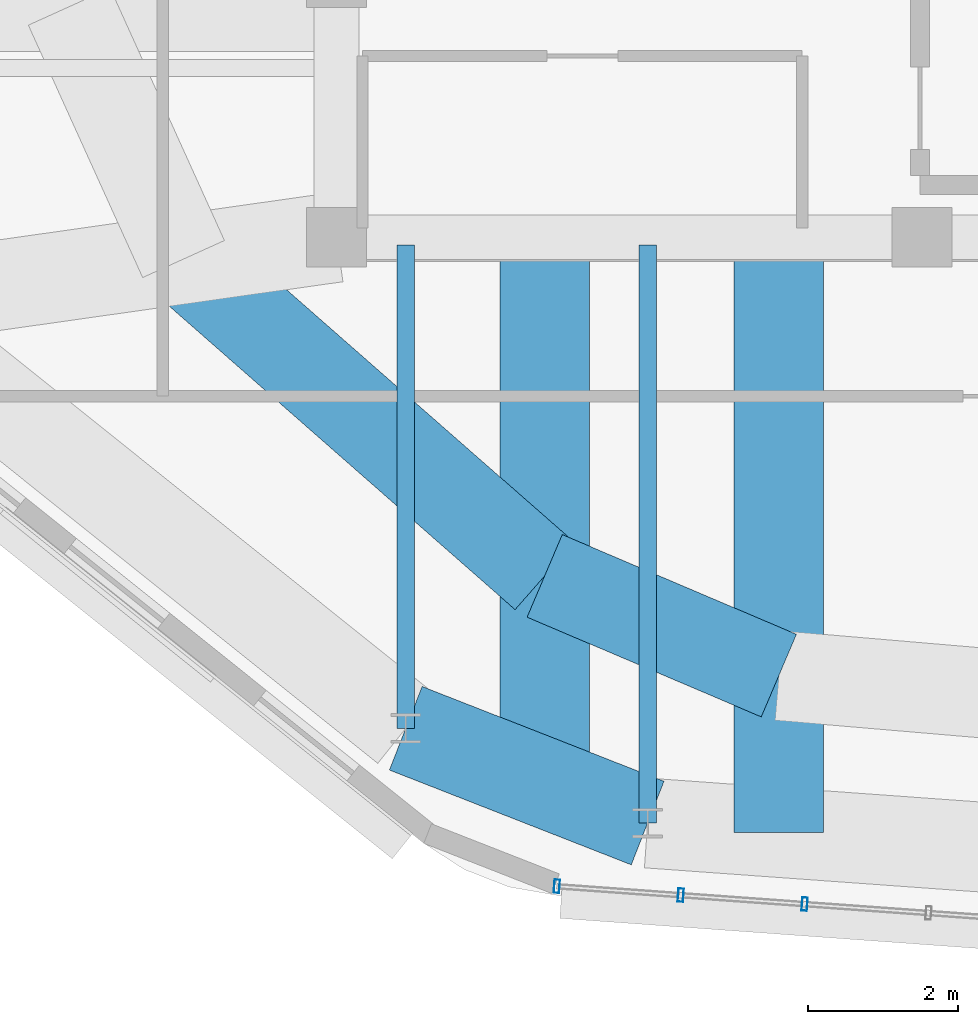
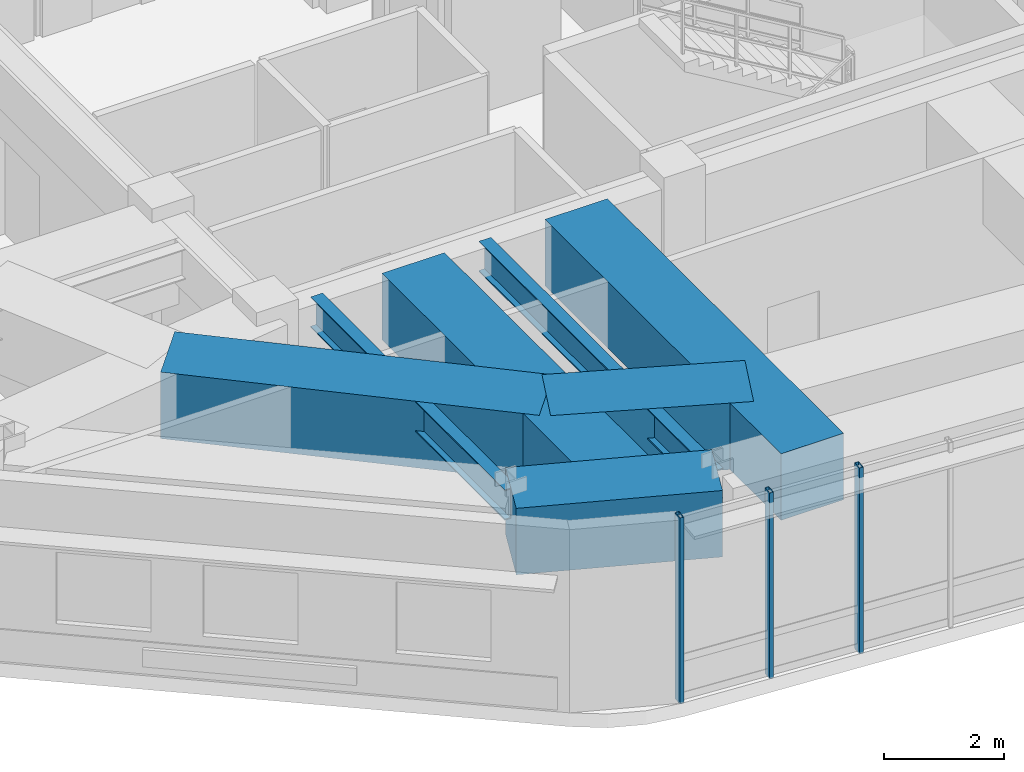
# One storey, part 2 of 12: 7 beams, 3 members, 1 element without a shape of its own.
"""IFC4 building model written with IfcOpenShell, lengths in metres."""

import ifcopenshell
import ifcopenshell.guid

model = None  # the IFC model being written
_history = None  # IfcOwnerHistory: only IFC2X3 demands one
_inside = {}  # id of a spatial element -> (the spatial element, [elements in it])
_under = {}  # id of a project, library or spatial element -> (it, [spatial elements below it])
_declared = {}  # id of a project -> (the project, [libraries it declares])
_typed = {}  # id of a type object -> (the type object, [elements of that type])
_made_of = {}  # id of a material, layer set ... -> (it, [elements and type objects made of it])


def new_model(schema):
    """Start an empty IFC model of exactly this schema.

    Asked for "IFC4X3", IfcOpenShell would pick the latest addendum, in which some entities
    have other attributes; the version numbers below select the first issue.
    IFC2X3 requires an IfcOwnerHistory on every rooted entity: one is made here for all.
    """
    global model, _history
    if schema == "IFC4X3":
        model = ifcopenshell.file(schema_version=(4, 3, 0, 0))
    else:
        model = ifcopenshell.file(schema=schema)
    _inside.clear()
    _under.clear()
    _declared.clear()
    _typed.clear()
    _made_of.clear()
    _history = None
    if model.schema == "IFC2X3":
        org = make("IfcOrganization", Name="unknown")
        user = make(
            "IfcPersonAndOrganization",
            ThePerson=make("IfcPerson", FamilyName="unknown"),
            TheOrganization=org,
        )
        app = make(
            "IfcApplication",
            ApplicationDeveloper=org,
            Version="unknown",
            ApplicationFullName="unknown",
            ApplicationIdentifier="unknown",
        )
        _history = make(
            "IfcOwnerHistory",
            OwningUser=user,
            OwningApplication=app,
            ChangeAction="ADDED",
            CreationDate=0,
        )
    return model


def make(cls, **values):
    """One entity of the class cls with the attributes given. An attribute that is None is left unset."""
    return model.create_entity(
        cls, **{name: value for name, value in values.items() if value is not None}
    )


def rooted(cls, **values):
    """An entity with a GlobalId (a new one), such as an element, a storey or a relation."""
    return make(cls, GlobalId=ifcopenshell.guid.new(), OwnerHistory=_history, **values)


def si_unit(unit_type, name, prefix=None):
    """IfcSIUnit, for example si_unit("LENGTHUNIT", "METRE", prefix="MILLI")."""
    return make("IfcSIUnit", UnitType=unit_type, Prefix=prefix, Name=name)


def assignment(units):
    """IfcUnitAssignment: the units of a project."""
    return None if units is None else make("IfcUnitAssignment", Units=units)


def point(xyz):
    """IfcCartesianPoint."""
    return None if xyz is None else make("IfcCartesianPoint", Coordinates=xyz)


def direction(xyz):
    """IfcDirection."""
    return None if xyz is None else make("IfcDirection", DirectionRatios=xyz)


def frame(location, z_axis=None, x_axis=None):
    """IfcAxis2Placement3D, a coordinate frame: its origin and axes. An axis left out is left unset."""
    return make(
        "IfcAxis2Placement3D",
        Location=point(location),
        Axis=direction(z_axis),
        RefDirection=direction(x_axis),
    )


def frame_2d(location, x_axis=None):
    """IfcAxis2Placement2D, a coordinate frame in the plane: its origin and x axis."""
    return make(
        "IfcAxis2Placement2D", Location=point(location), RefDirection=direction(x_axis)
    )


def origin():
    """The frame at (0, 0, 0) with its axes left unset."""
    return frame((0.0, 0.0, 0.0))


def origin_2d():
    """The frame at (0, 0) in the plane with its x axis left unset."""
    return frame_2d((0.0, 0.0))


def place(relative_to, where):
    """IfcLocalPlacement: puts the frame where relative to a parent placement (None: the world)."""
    return make(
        "IfcLocalPlacement", PlacementRelTo=relative_to, RelativePlacement=where
    )


def context(
    kind, dimensions, precision=None, world=None, true_north=None, identifier=None
):
    """IfcGeometricRepresentationContext, for example the 3D "Model" context."""
    return make(
        "IfcGeometricRepresentationContext",
        ContextIdentifier=identifier,
        ContextType=kind,
        CoordinateSpaceDimension=dimensions,
        Precision=precision,
        WorldCoordinateSystem=world,
        TrueNorth=true_north,
    )


def subcontext(parent, identifier, kind, view, scale=None):
    """IfcGeometricRepresentationSubContext, for example "Body" below "Model"."""
    return make(
        "IfcGeometricRepresentationSubContext",
        ContextIdentifier=identifier,
        ContextType=kind,
        ParentContext=parent,
        TargetScale=scale,
        TargetView=view,
    )


def project(units=None, contexts=None):
    """IfcProject with its units and contexts."""
    return rooted(
        "IfcProject",
        Name="project",
        RepresentationContexts=contexts,
        UnitsInContext=assignment(units),
    )


def spatial(cls, under=None, at=None, **own):
    """A site, building, storey or space (cls), placed at a placement, below another one or the project."""
    s = rooted(cls, ObjectPlacement=at, **own)
    if under is not None:
        _under.setdefault(under.id(), (under, []))[1].append(s)
    return s


def profile(cls, at=None, kind="AREA", **sizes):
    """A parametric profile (cls). Its sizes go by their IFC names, for example OverallWidth=200.0."""
    return make(cls, ProfileType=kind, Position=at, **sizes)


def rectangle(**sizes):
    """IfcRectangleProfileDef."""
    return profile("IfcRectangleProfileDef", **sizes)


def hollow_rectangle(**sizes):
    """IfcRectangleHollowProfileDef."""
    return profile("IfcRectangleHollowProfileDef", **sizes)


def i_section(**sizes):
    """IfcIShapeProfileDef."""
    return profile("IfcIShapeProfileDef", **sizes)


def extrude(swept, where, along, depth):
    """IfcExtrudedAreaSolid: the profile swept, set in the frame where, extruded along a direction by depth."""
    return make(
        "IfcExtrudedAreaSolid",
        SweptArea=swept,
        Position=where,
        ExtrudedDirection=direction(along),
        Depth=depth,
    )


def shape(context_of_items, identifier, shape_type, items):
    """IfcShapeRepresentation: the items that make up one representation, for example the "Body"."""
    return make(
        "IfcShapeRepresentation",
        ContextOfItems=context_of_items,
        RepresentationIdentifier=identifier,
        RepresentationType=shape_type,
        Items=items,
    )


def material(Name=None, Category=None):
    """IfcMaterial."""
    return make("IfcMaterial", Name=Name, Category=Category)


def material_profile(
    of_material, cross_section, Name=None, Category=None, Priority=None
):
    """IfcMaterialProfile: a cross section and its material."""
    return make(
        "IfcMaterialProfile",
        Name=Name,
        Material=of_material,
        Profile=cross_section,
        Priority=Priority,
        Category=Category,
    )


def profile_set(profiles, Name=None, composite=None):
    """IfcMaterialProfileSet."""
    return make(
        "IfcMaterialProfileSet",
        Name=Name,
        MaterialProfiles=profiles,
        CompositeProfile=composite,
    )


def made_of(thing, what):
    """Note that an element or type object is made of a material, layer set ...; save() writes the relation."""
    if what is not None:
        _made_of.setdefault(what.id(), (what, []))[1].append(thing)
    return thing


def type_object(cls, material=None, **own):
    """A type object (cls), such as IfcWallType, which elements share."""
    return made_of(rooted(cls, **own), material)


def element(
    cls,
    number,
    at=None,
    inside=None,
    cuts=None,
    type_object=None,
    material=None,
    context=None,
    identifier="Body",
    shape_type=None,
    held_by="IfcProductDefinitionShape",
    body=None,
    shapes=None,
    **own,
):
    """One element of the class cls, such as IfcWall. Its Tag is "e" and its number.

    at: its placement. inside: the storey or other place that contains it. cuts: it is an
    opening in that element (IfcRelVoidsElement). A single representation is given by context,
    identifier, shape_type and body (its items); several are given by shapes. held_by: the class
    of the entity that holds the representations. save() writes the other relations.
    """
    e = rooted(cls, Tag="e%d" % number, ObjectPlacement=at, **own)
    if body is not None:
        shapes = [shape(context, identifier, shape_type, body)]
    if shapes is not None:
        e.Representation = make(held_by, Representations=shapes)
    if inside is not None:
        _inside.setdefault(inside.id(), (inside, []))[1].append(e)
    if cuts is not None:
        rooted(
            "IfcRelVoidsElement", RelatingBuildingElement=cuts, RelatedOpeningElement=e
        )
    if type_object is not None:
        _typed.setdefault(type_object.id(), (type_object, []))[1].append(e)
    return made_of(e, material)


def aggregate(whole, parts):
    """IfcRelAggregates: a whole, such as a stair, and the parts it consists of."""
    return rooted("IfcRelAggregates", RelatingObject=whole, RelatedObjects=parts)


def save(model, path):
    """Write the relations noted so far, then the file.

    IfcRelAggregates (storeys below a building ...), IfcRelContainedInSpatialStructure (elements
    in a storey), IfcRelDefinesByType, IfcRelAssociatesMaterial and IfcRelDeclares: one each for
    every whole, place, type object, material and project.
    """
    for whole, parts in _under.values():
        aggregate(whole, parts)
    for where, things in _inside.values():
        rooted(
            "IfcRelContainedInSpatialStructure",
            RelatedElements=things,
            RelatingStructure=where,
        )
    for kind, things in _typed.values():
        rooted("IfcRelDefinesByType", RelatedObjects=things, RelatingType=kind)
    for what, things in _made_of.values():
        rooted("IfcRelAssociatesMaterial", RelatedObjects=things, RelatingMaterial=what)
    for by, libraries in _declared.values():
        rooted("IfcRelDeclares", RelatingContext=by, RelatedDefinitions=libraries)
    model.write(path)


model = new_model("IFC4")

# Units and contexts
model_context = context("Model", 3, precision=1e-05, world=origin(), true_north=direction((0.0, 1.0)))
body_context = subcontext(model_context, "Body", "Model", "MODEL_VIEW")
ifc_project = project(units=[si_unit("LENGTHUNIT", "METRE"), si_unit("AREAUNIT", "SQUARE_METRE"), si_unit("VOLUMEUNIT", "CUBIC_METRE"), si_unit("PLANEANGLEUNIT", "RADIAN"), si_unit("MASSUNIT", "GRAM", prefix="KILO")], contexts=[model_context])

# Site, building, storey
site_placement = place(None, origin())
site = spatial("IfcSite", under=ifc_project, at=site_placement, CompositionType="ELEMENT")
building_placement = place(site_placement, origin())
building = spatial("IfcBuilding", under=site, at=building_placement, Name="Zulverin Broadcast Headquarters", CompositionType="ELEMENT")
storey_placement = place(building_placement, frame((0.0, 0.0, 325.39990234375)))
storey = spatial("IfcBuildingStorey", under=building, at=storey_placement, Name="C4", CompositionType="ELEMENT", Elevation=325.39990234375)

# Beams
ifc_material_1 = material(Name="Concrete C50/60", Category="concrete")
ifc_material_profile_1 = material_profile(ifc_material_1, rectangle(XDim=1.199951171875, YDim=1.35009765625, at=origin_2d()), Name="Concrete C50/60", Category="concrete")
ifc_profile_set_1 = profile_set([ifc_material_profile_1], Name="Concrete C50/60")
beam_type_1 = type_object("IfcBeamType", Name="BM-TG-CRN-1350", PredefinedType="USERDEFINED", material=ifc_profile_set_1)
beam_1_placement = place(storey_placement, frame((31.54931640625, 10.760498046875, 3.045166015625), z_axis=(0.931090256354, -0.364788890351, 0.0), x_axis=(0.364788890351, 0.931090256354, 0.0)))
element("IfcBeam", 1, at=beam_1_placement, inside=storey, type_object=beam_type_1, Name="C4 Perimeter Transfer Ring Girder SP-16", ObjectType="TRANSFER GIRDER", PredefinedType="USERDEFINED", context=body_context, shape_type="SweptSolid", body=[
    extrude(rectangle(XDim=1.199951171875, YDim=1.35009765625, at=origin_2d()), origin(), (0.0, 0.0, 1.0), 3.473388671875),
])
beam_2_placement = place(storey_placement, frame((36.53759765625, 17.22509765625, 3.045166015625), z_axis=(0.0, -1.0, 0.0), x_axis=(1.0, 0.0, 0.0)))
element("IfcBeam", 2, at=beam_2_placement, inside=storey, type_object=beam_type_1, Name="C5 Step Transfer Girder TG-01", ObjectType="TRANSFER GIRDER", PredefinedType="USERDEFINED", context=body_context, shape_type="SweptSolid", body=[
    extrude(rectangle(XDim=1.199951171875, YDim=1.35009765625, at=origin_2d()), origin(), (0.0, 0.0, 1.0), 7.85791015625),
])
beam_3_placement = place(storey_placement, frame((28.578369140625, 17.03466796875, 3.045166015625), z_axis=(0.751669525428, -0.659539934002, 0.0), x_axis=(0.659539934002, 0.751669525428, 0.0)))
element("IfcBeam", 3, at=beam_3_placement, inside=storey, type_object=beam_type_1, Name="C5 Step Transfer Ring Girder TGR-15", ObjectType="TRANSFER GIRDER", PredefinedType="USERDEFINED", context=body_context, shape_type="SweptSolid", body=[
    extrude(rectangle(XDim=1.199951171875, YDim=1.35009765625, at=origin_2d()), origin(), (0.0, 0.0, 1.0), 6.423583984375),
])
beam_4_placement = place(storey_placement, frame((33.40673828125, 17.22509765625, 3.045166015625), z_axis=(0.0, -1.0, 0.0), x_axis=(1.0, 0.0, 0.0)))
element("IfcBeam", 4, at=beam_4_placement, inside=storey, type_object=beam_type_1, Name="C5 Step Transfer Girder TG-16", ObjectType="TRANSFER GIRDER", PredefinedType="USERDEFINED", context=body_context, shape_type="SweptSolid", body=[
    extrude(rectangle(XDim=1.199951171875, YDim=1.35009765625, at=origin_2d()), origin(), (0.0, 0.0, 1.0), 7.1923828125),
])
beam_5_placement = place(storey_placement, frame((33.40673828125, 12.798095703125, 3.045166015625), z_axis=(0.920051758156, -0.391796838061, 0.0), x_axis=(0.391796838061, 0.920051758156, 0.0)))
element("IfcBeam", 5, at=beam_5_placement, inside=storey, type_object=beam_type_1, Name="C5 Step Transfer Ring Girder TGR-16", ObjectType="TRANSFER GIRDER", PredefinedType="USERDEFINED", context=body_context, shape_type="SweptSolid", body=[
    extrude(rectangle(XDim=1.199951171875, YDim=1.35009765625, at=origin_2d()), origin(), (0.0, 0.0, 1.0), 3.40283203125),
])
ifc_material_2 = material(Name="Structural steel S355JR", Category="steel")
ifc_material_profile_2 = material_profile(ifc_material_2, i_section(OverallWidth=0.230224609375, OverallDepth=0.6171875, WebThickness=0.01318359375, FlangeThickness=0.022216796875, at=origin_2d()), Name="Structural steel S355JR", Category="steel")
ifc_profile_set_2 = profile_set([ifc_material_profile_2], Name="Structural steel S355JR")
beam_type_2 = type_object("IfcBeamType", Name="BM-UB-610", PredefinedType="BEAM", material=ifc_profile_set_2)
beam_6_placement = place(storey_placement, frame((34.783447265625, 17.22509765625, 3.411376953125), z_axis=(0.0, -1.0, 0.0), x_axis=(1.0, 0.0, 0.0)))
element("IfcBeam", 6, at=beam_6_placement, inside=storey, type_object=beam_type_2, Name="C4 Radial Primary Floor Beam RB-01", PredefinedType="BEAM", context=body_context, shape_type="SweptSolid", body=[
    extrude(i_section(OverallWidth=0.230224609375, OverallDepth=0.6171875, WebThickness=0.01318359375, FlangeThickness=0.022216796875, at=origin_2d()), origin(), (0.0, 0.0, 1.0), 7.731689453125),
])
beam_7_placement = place(storey_placement, frame((31.54931640625, 17.22509765625, 3.411376953125), z_axis=(0.0, -1.0, 0.0), x_axis=(1.0, 0.0, 0.0)))
element("IfcBeam", 7, at=beam_7_placement, inside=storey, type_object=beam_type_2, Name="C4 Radial Primary Floor Beam RB-16", PredefinedType="BEAM", context=body_context, shape_type="SweptSolid", body=[
    extrude(i_section(OverallWidth=0.230224609375, OverallDepth=0.6171875, WebThickness=0.01318359375, FlangeThickness=0.022216796875, at=origin_2d()), origin(), (0.0, 0.0, 1.0), 6.464599609375),
])

# Curtain wall, members
ifc_material_3 = material(Name="Crown damper-hall structural glass curtain wall", Category="glass")
curtain_wall_type = type_object("IfcCurtainWallType", Name="CW-CRN", PredefinedType="USERDEFINED", material=ifc_material_3)
curtain_wall_placement = place(storey_placement, origin())
curtain_wall = element("IfcCurtainWall", 8, at=curtain_wall_placement, inside=storey, type_object=curtain_wall_type, Name="C4 Unitised Curtain Wall CW-C4-E1", ObjectType="UNITISED CURTAIN WALL", PredefinedType="USERDEFINED")
ifc_material_4 = material(Name="Anodized pale-metal aluminium alloy 6063-T6", Category="aluminium")
ifc_material_profile_3 = material_profile(ifc_material_4, hollow_rectangle(XDim=0.074951171875, YDim=0.179931640625, WallThickness=0.0048828125, at=origin_2d()), Name="Anodized pale-metal aluminium alloy 6063-T6", Category="aluminium")
ifc_profile_set_3 = profile_set([ifc_material_profile_3], Name="Anodized pale-metal aluminium alloy 6063-T6")
member_type = type_object("IfcMemberType", Name="CW-MUL-180", PredefinedType="MULLION", material=ifc_profile_set_3)
member_1_placement = place(storey_placement, frame((33.569580078125, 8.648193359375, -0.02978515625), z_axis=(0.0, 0.0, 1.0), x_axis=(0.997420903458, -0.071774238726, 0.0)))
member_1 = element("IfcMember", 9, at=member_1_placement, type_object=member_type, Name="CW-C4-E1 Mullion 00", PredefinedType="MULLION", context=body_context, shape_type="SweptSolid", body=[
    extrude(hollow_rectangle(XDim=0.074951171875, YDim=0.179931640625, WallThickness=0.0048828125, at=origin_2d()), origin(), (0.0, 0.0, 1.0), 3.77978515625),
])
member_2_placement = place(storey_placement, frame((35.225830078125, 8.529052734375, -0.02978515625), z_axis=(0.0, 0.0, 1.0), x_axis=(0.997420903458, -0.071774238726, 0.0)))
member_2 = element("IfcMember", 10, at=member_2_placement, type_object=member_type, Name="CW-C4-E1 Mullion 01", PredefinedType="MULLION", context=body_context, shape_type="SweptSolid", body=[
    extrude(hollow_rectangle(XDim=0.074951171875, YDim=0.179931640625, WallThickness=0.0048828125, at=origin_2d()), origin(), (0.0, 0.0, 1.0), 3.77978515625),
])
member_3_placement = place(storey_placement, frame((36.882080078125, 8.409912109375, -0.02978515625), z_axis=(0.0, 0.0, 1.0), x_axis=(0.997420903458, -0.071774238726, 0.0)))
member_3 = element("IfcMember", 11, at=member_3_placement, type_object=member_type, Name="CW-C4-E1 Mullion 02", PredefinedType="MULLION", context=body_context, shape_type="SweptSolid", body=[
    extrude(hollow_rectangle(XDim=0.074951171875, YDim=0.179931640625, WallThickness=0.0048828125, at=origin_2d()), origin(), (0.0, 0.0, 1.0), 3.77978515625),
])
aggregate(curtain_wall, [member_1, member_2, member_3])

save(model, "model.ifc")
